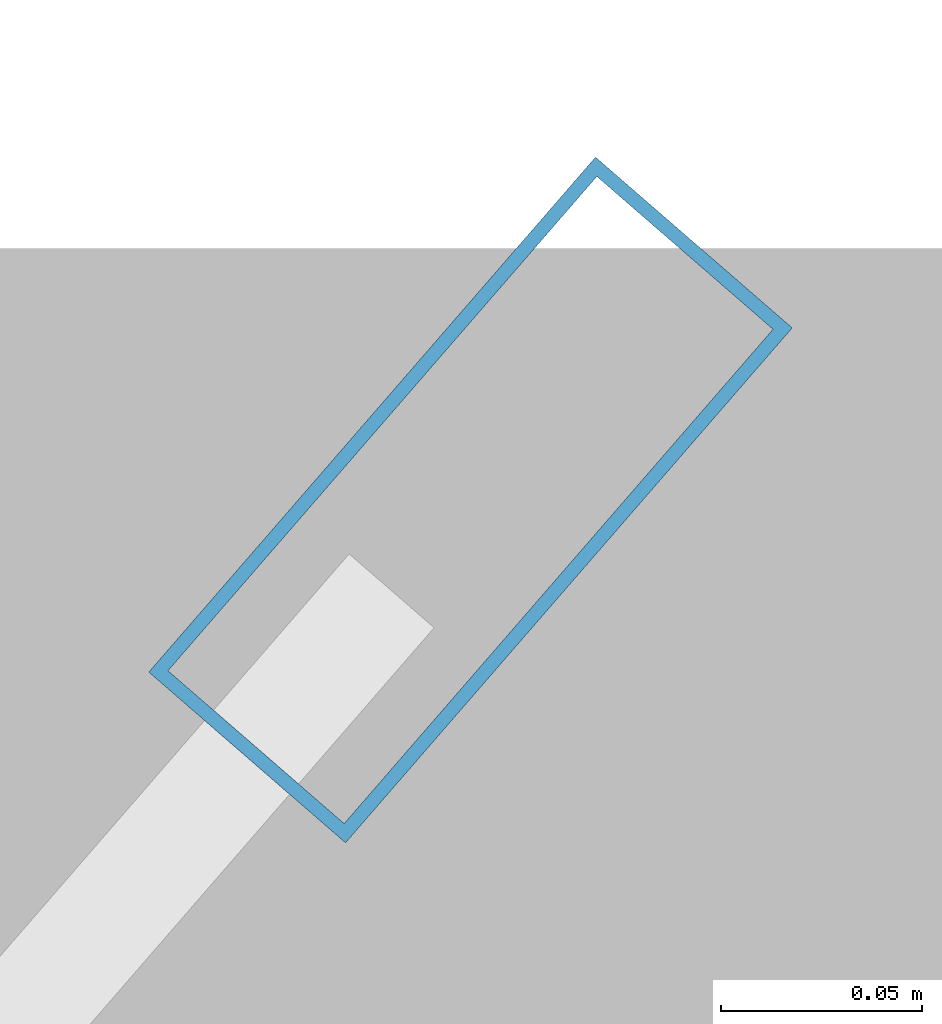
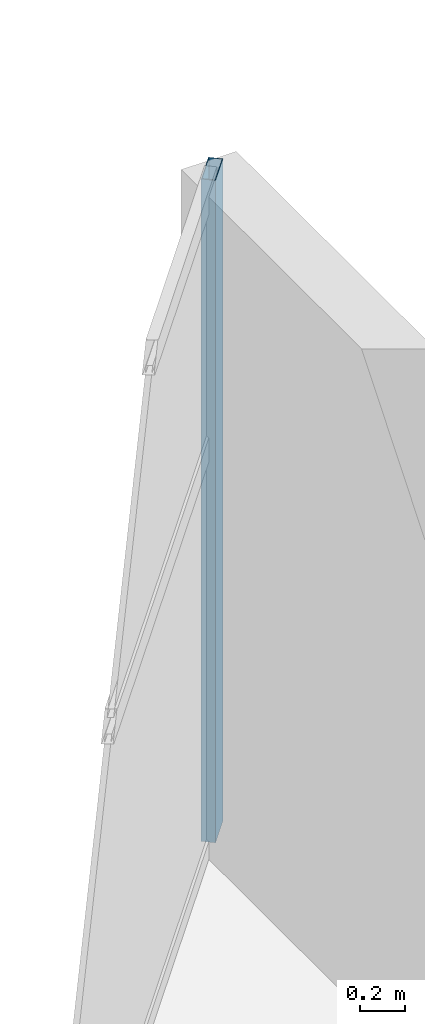
# One storey, part 22 of 29: 1 member, 1 element without a shape of its own.
"""IFC4 building model written with IfcOpenShell, lengths in metres."""

from ifc_helpers import new_model, si_unit, direction, frame, origin, origin_2d, place, context, subcontext, project, spatial, hollow_rectangle, extrude, material, layer, layer_set, material_profile, profile_set, type_object, element, aggregate, save


model = new_model("IFC4")

# Units and contexts
model_context = context("Model", 3, precision=1e-05, world=origin(), true_north=direction((0.0, 1.0)))
body_context = subcontext(model_context, "Body", "Model", "MODEL_VIEW")
ifc_project = project(units=[si_unit("LENGTHUNIT", "METRE"), si_unit("AREAUNIT", "SQUARE_METRE"), si_unit("VOLUMEUNIT", "CUBIC_METRE"), si_unit("PLANEANGLEUNIT", "RADIAN"), si_unit("MASSUNIT", "GRAM", prefix="KILO")], contexts=[model_context])

# Site, building, storey
site_placement = place(None, origin())
site = spatial("IfcSite", under=ifc_project, at=site_placement, CompositionType="ELEMENT")
building_placement = place(site_placement, origin())
building = spatial("IfcBuilding", under=site, at=building_placement, Name="Calvorn Quay Hotel", CompositionType="ELEMENT")
storey_placement = place(building_placement, frame((0.0, 0.0, 251.39990234375)))
storey = spatial("IfcBuildingStorey", under=building, at=storey_placement, Name="L62", CompositionType="ELEMENT", Elevation=251.39990234375)

# Curtain wall, member
ifc_material_1 = material(Name="Champagne Bronze Anodised Aluminium and Low-E Glass", Category="aluminium")
ifc_layer = layer(ifc_material_1, 0.219970703125)
ifc_layer_set = layer_set([ifc_layer], Name="CW-SYS-Z4")
curtain_wall_type = type_object("IfcCurtainWallType", Name="CW-SYS-Z4", PredefinedType="NOTDEFINED", material=ifc_layer_set)
curtain_wall_placement = place(storey_placement, origin())
curtain_wall = element("IfcCurtainWall", 1, at=curtain_wall_placement, inside=storey, type_object=curtain_wall_type, Name="Inner Court Curtain Wall L62-NE1", PredefinedType="NOTDEFINED")
ifc_material_2 = material(Name="Champagne Bronze Anodised Aluminium 6063-T6", Category="aluminium")
ifc_material_profile = material_profile(ifc_material_2, hollow_rectangle(XDim=0.06494140625, YDim=0.169921875, WallThickness=0.00341796875, at=origin_2d()), Name="ALU-M170x65x3.5")
ifc_profile_set = profile_set([ifc_material_profile], Name="Champagne Bronze Anodised Aluminium 6063-T6")
member_type = type_object("IfcMemberType", Name="CW-SYS-Z4-MUL", PredefinedType="MULLION", material=ifc_profile_set)
member_placement = place(storey_placement, frame((33.38037109375, 37.977294921875, 0.0), z_axis=(0.0, 0.0, 1.0), x_axis=(0.755322467304, -0.655353317216, 0.0)))
member = element("IfcMember", 2, at=member_placement, type_object=member_type, Name="CW-L62-NE1 mullion 1", PredefinedType="MULLION", context=body_context, shape_type="SweptSolid", body=[
    extrude(hollow_rectangle(XDim=0.06494140625, YDim=0.169921875, WallThickness=0.00341796875, at=origin_2d()), origin(), (0.0, 0.0, 1.0), 3.56005859375),
])
aggregate(curtain_wall, [member])

save(model, "model.ifc")
